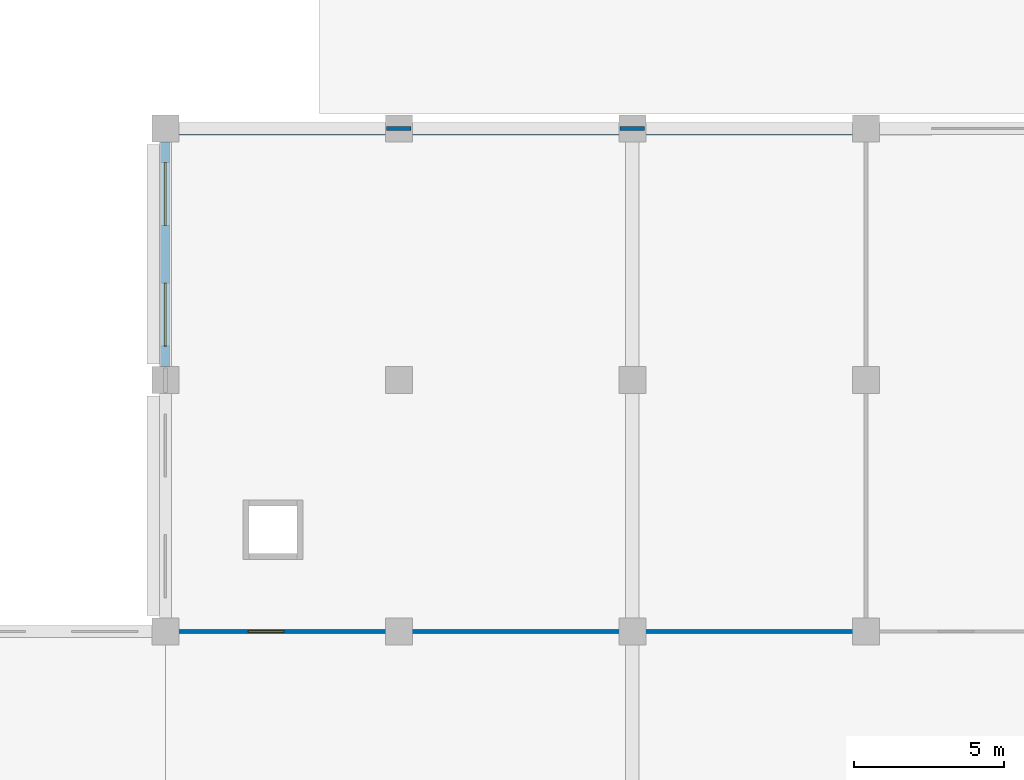
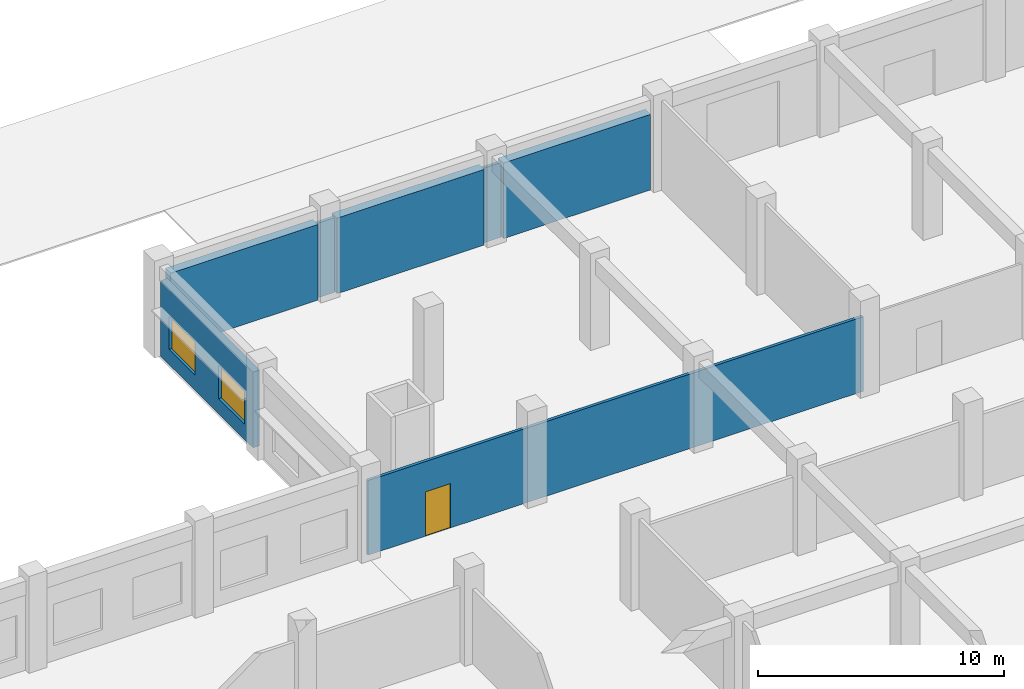
# One storey, part 55 of 74: 7 walls, 2 windows, 1 door, 3 openings.
"""IFC4 building model written with IfcOpenShell, lengths in metres."""

from ifc_helpers import new_model, si_unit, direction, frame, frame_2d, origin, place, context, subcontext, project, spatial, rectangle, extrude, material, layer, layer_set, type_object, element, fill, save


model = new_model("IFC4")

# Units and contexts
model_context = context("Model", 3, precision=1e-05, world=origin(), true_north=direction((0.0, 1.0)))
body_context = subcontext(model_context, "Body", "Model", "MODEL_VIEW")
ifc_project = project(units=[si_unit("LENGTHUNIT", "METRE"), si_unit("AREAUNIT", "SQUARE_METRE"), si_unit("VOLUMEUNIT", "CUBIC_METRE"), si_unit("PLANEANGLEUNIT", "RADIAN"), si_unit("MASSUNIT", "GRAM", prefix="KILO"), si_unit("THERMODYNAMICTEMPERATUREUNIT", "KELVIN"), si_unit("POWERUNIT", "WATT")], contexts=[model_context])

# Site, building, storey
site_placement = place(None, origin())
site = spatial("IfcSite", under=ifc_project, at=site_placement, CompositionType="ELEMENT")
building_placement = place(site_placement, origin())
building = spatial("IfcBuilding", under=site, at=building_placement, Name="Srebrne Nadtorze General Hospital", CompositionType="ELEMENT")
storey_placement = place(building_placement, origin())
storey = spatial("IfcBuildingStorey", under=building, at=storey_placement, Name="L00", CompositionType="ELEMENT", Elevation=0.0)

# Walls
ifc_material_1 = material(Name="Concrete C40/50", Category="concrete")
ifc_layer_1 = layer(ifc_material_1, 0.419921875)
ifc_layer_set_1 = layer_set([ifc_layer_1], Name="Concrete C40/50")
wall_type_1 = type_object("IfcWallType", Name="Acoustic buffer wall 420", PredefinedType="SOLIDWALL", material=ifc_layer_set_1)
wall_1_placement = place(storey_placement, frame((101.85009765625, 109.199951171875, 0.0), z_axis=(0.0, 0.0, 1.0), x_axis=(1.0, 0.0, 0.0)))
element("IfcWall", 1, at=wall_1_placement, inside=storey, type_object=wall_type_1, Name="Exterior wall WL-ENV-L00-0107", PredefinedType="SOLIDWALL", context=body_context, shape_type="SweptSolid", body=[
    extrude(rectangle(XDim=6.89990234375, YDim=0.419921875, at=frame_2d((3.449951171875, 0.0))), origin(), (0.0, 0.0, 1.0), 3.75),
])
for number, where, z_axis, x_axis, name in (
    (2, (109.64990234375, 109.199951171875, 0.0), (0.0, 0.0, 1.0), (1.0, 0.0, 0.0), "Exterior wall WL-ENV-L00-0108"),
    (3, (117.449951171875, 109.199951171875, 0.0), (0.0, 0.0, 1.0), (1.0, 0.0, 0.0), "Exterior wall WL-ENV-L00-0109"),
):
    element("IfcWall", number, at=place(storey_placement, frame(where, z_axis=z_axis, x_axis=x_axis)), inside=storey, type_object=wall_type_1, Name=name, PredefinedType="SOLIDWALL", context=body_context, shape_type="SweptSolid", body=[
        extrude(rectangle(XDim=6.900146484375, YDim=0.419921875, at=frame_2d((3.4501953125, 0.0))), origin(), (0.0, 0.0, 1.0), 3.75),
    ])

# Wall, opening, door
ifc_material_2 = material(Name="Gypsum Healthcare Partition")
ifc_layer_2 = layer(ifc_material_2, 0.139892578125)
ifc_layer_set_2 = layer_set([ifc_layer_2], Name="Gypsum Healthcare Partition")
wall_type_2 = type_object("IfcWallType", Name="Clinical partition 140", PredefinedType="PARTITIONING", material=ifc_layer_set_2)
wall_2_placement = place(storey_placement, frame((101.485107421875, 92.39990234375, 0.0), z_axis=(0.0, 0.0, 1.0), x_axis=(1.0, 0.0, 0.0)))
wall_2 = element("IfcWall", 4, at=wall_2_placement, inside=storey, type_object=wall_type_2, Name="Central Goods Store wall WL-INT-L00-1338", PredefinedType="PARTITIONING", context=body_context, shape_type="SweptSolid", body=[
    extrude(rectangle(XDim=23.22998046875, YDim=0.139892578125, at=frame_2d((11.614990234375, 0.0))), origin(), (0.0, 0.0, 1.0), 3.699951171875),
])
opening_1_placement = place(wall_2_placement, frame((2.689697265625, 0.0, 0.0)))
opening_1 = element("IfcOpeningElement", 5, at=opening_1_placement, cuts=wall_2, Name="Opening D-L00-0200", PredefinedType="OPENING", context=body_context, shape_type="SweptSolid", body=[
    extrude(rectangle(XDim=1.179931640625, YDim=2.199951171875, at=frame_2d((0.58984375, 1.10009765625))), frame((0.0, 0.08203125, 0.0), z_axis=(0.0, -1.0, 0.0), x_axis=(1.0, 0.0, 0.0)), (0.0, 0.0, 1.0), 0.163818359375),
])
ifc_material_3 = material(Name="Anodised Aluminium", Category="aluminium")
door_type = type_object("IfcDoorType", Name="Single leaf door 1180x2200", OperationType="NOTDEFINED", PredefinedType="DOOR", material=ifc_material_3)
door_placement = place(opening_1_placement, origin())
door = element("IfcDoor", 6, at=door_placement, inside=storey, type_object=door_type, Name="Central Goods Store door D-L00-0200", OperationType="SINGLE_SWING_LEFT", OverallHeight=2.199951171875, OverallWidth=1.179931640625, PredefinedType="DOOR", context=body_context, shape_type="SweptSolid", body=[
    extrude(rectangle(XDim=1.179931640625, YDim=2.199951171875, at=frame_2d((0.58984375, 1.10009765625))), frame((0.0, 0.02490234375, 0.0), z_axis=(0.0, -1.0, 0.0), x_axis=(1.0, 0.0, 0.0)), (0.0, 0.0, 1.0), 0.050048828125),
])
fill(opening_1, door)

# Walls
wall_3_placement = place(storey_placement, frame((108.7900390625, 109.199951171875, 0.0), z_axis=(0.0, 0.0, 1.0), x_axis=(1.0, 0.0, 0.0)))
element("IfcWall", 7, at=wall_3_placement, inside=storey, type_object=wall_type_2, Name="Central Goods Store wall WL-INT-L00-1339", PredefinedType="PARTITIONING", context=body_context, shape_type="SweptSolid", body=[
    extrude(rectangle(XDim=0.820068359375, YDim=0.139892578125, at=frame_2d((0.41015625, 0.0))), origin(), (0.0, 0.0, 1.0), 3.699951171875),
])
wall_4_placement = place(storey_placement, frame((116.590087890625, 109.199951171875, 0.0), z_axis=(0.0, 0.0, 1.0), x_axis=(1.0, 0.0, 0.0)))
element("IfcWall", 8, at=wall_4_placement, inside=storey, type_object=wall_type_2, Name="Central Goods Store wall WL-INT-L00-1340", PredefinedType="PARTITIONING", context=body_context, shape_type="SweptSolid", body=[
    extrude(rectangle(XDim=0.81982421875, YDim=0.139892578125, at=frame_2d((0.409912109375, 0.0))), origin(), (0.0, 0.0, 1.0), 3.699951171875),
])

# Wall, openings, windows
ifc_material_4 = material(Name="Concrete C35/45", Category="concrete")
ifc_layer_3 = layer(ifc_material_4, 0.320068359375)
ifc_layer_set_3 = layer_set([ifc_layer_3], Name="Concrete C35/45")
wall_type_3 = type_object("IfcWallType", Name="Spandrel wall 320", PredefinedType="STANDARD", material=ifc_layer_set_3)
wall_5_placement = place(storey_placement, frame((101.39990234375, 101.25, 0.0), z_axis=(0.0, 0.0, 1.0), x_axis=(0.0, 1.0, 0.0)))
wall_5 = element("IfcWall", 9, at=wall_5_placement, inside=storey, type_object=wall_type_3, Name="Exterior wall WL-ENV-L00-0137", PredefinedType="STANDARD", context=body_context, shape_type="SweptSolid", body=[
    extrude(rectangle(XDim=7.5, YDim=0.320068359375, at=frame_2d((3.75, 0.0))), origin(), (0.0, 0.0, 1.0), 3.75),
])
opening_2_placement = place(wall_5_placement, frame((0.68408203125, 0.0, 0.75)))
opening_2 = element("IfcOpeningElement", 10, at=opening_2_placement, cuts=wall_5, Name="Opening WN-L00-0094", PredefinedType="OPENING", context=body_context, shape_type="SweptSolid", body=[
    extrude(rectangle(XDim=2.10009765625, YDim=1.64990234375, at=frame_2d((1.050048828125, 0.824951171875))), frame((0.0, 0.171875, 0.0), z_axis=(0.0, -1.0, 0.0), x_axis=(1.0, 0.0, 0.0)), (0.0, 0.0, 1.0), 0.343994140625),
])
opening_3_placement = place(wall_5_placement, frame((4.716064453125, 0.0, 0.75)))
opening_3 = element("IfcOpeningElement", 11, at=opening_3_placement, cuts=wall_5, Name="Opening WN-L00-0095", PredefinedType="OPENING", context=body_context, shape_type="SweptSolid", body=[
    extrude(rectangle(XDim=2.10009765625, YDim=1.64990234375, at=frame_2d((1.050048828125, 0.824951171875))), frame((0.0, 0.171875, 0.0), z_axis=(0.0, -1.0, 0.0), x_axis=(1.0, 0.0, 0.0)), (0.0, 0.0, 1.0), 0.343994140625),
])
ifc_material_5 = material(Name="Triple Low-E Glazing", Category="glass")
window_type = type_object("IfcWindowType", Name="Punched clinical window 2100x1650", PartitioningType="DOUBLE_PANEL_VERTICAL", PredefinedType="WINDOW", material=ifc_material_5)
window_1_placement = place(opening_2_placement, origin())
window_1 = element("IfcWindow", 12, at=window_1_placement, inside=storey, type_object=window_type, Name="Clinical window WN-L00-0094", OverallHeight=1.64990234375, OverallWidth=2.10009765625, PartitioningType="DOUBLE_PANEL_VERTICAL", PredefinedType="WINDOW", context=body_context, shape_type="SweptSolid", body=[
    extrude(rectangle(XDim=2.10009765625, YDim=1.64990234375, at=frame_2d((1.050048828125, 0.824951171875))), frame((0.0, 0.030029296875, 0.0), z_axis=(0.0, -1.0, 0.0), x_axis=(1.0, 0.0, 0.0)), (0.0, 0.0, 1.0), 0.06005859375),
])
fill(opening_2, window_1)
window_2_placement = place(opening_3_placement, origin())
window_2 = element("IfcWindow", 13, at=window_2_placement, inside=storey, type_object=window_type, Name="Clinical window WN-L00-0095", OverallHeight=1.64990234375, OverallWidth=2.10009765625, PartitioningType="DOUBLE_PANEL_VERTICAL", PredefinedType="WINDOW", context=body_context, shape_type="SweptSolid", body=[
    extrude(rectangle(XDim=2.10009765625, YDim=1.64990234375, at=frame_2d((1.050048828125, 0.824951171875))), frame((0.0, 0.030029296875, 0.0), z_axis=(0.0, -1.0, 0.0), x_axis=(1.0, 0.0, 0.0)), (0.0, 0.0, 1.0), 0.06005859375),
])
fill(opening_3, window_2)

save(model, "model.ifc")
